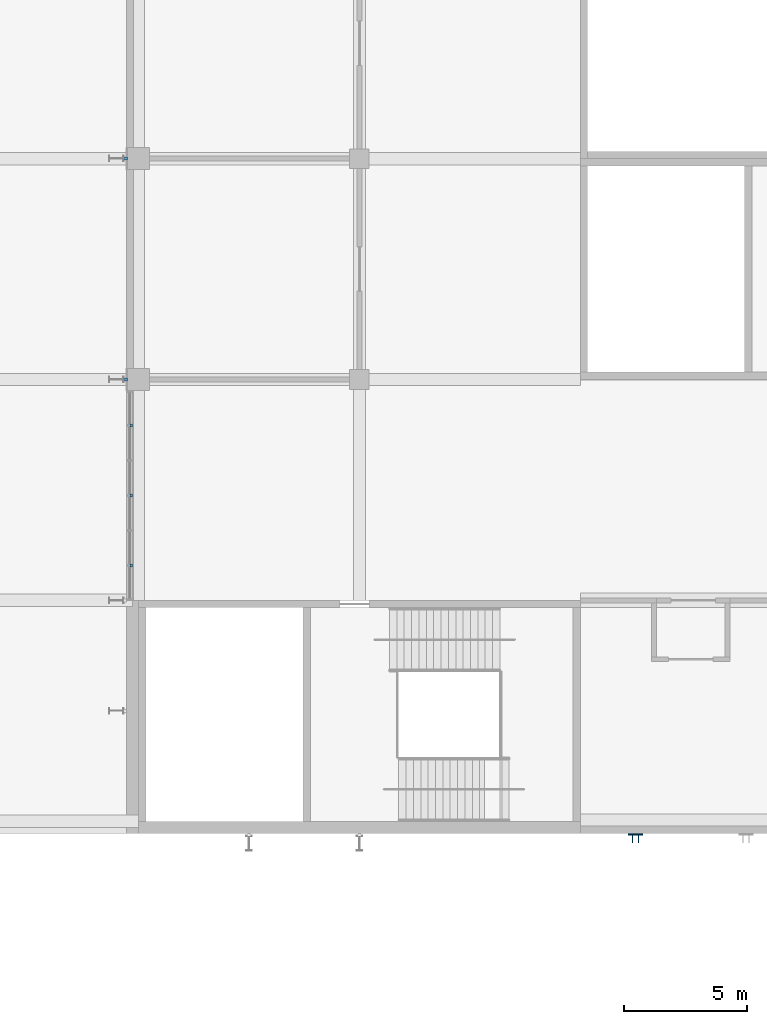
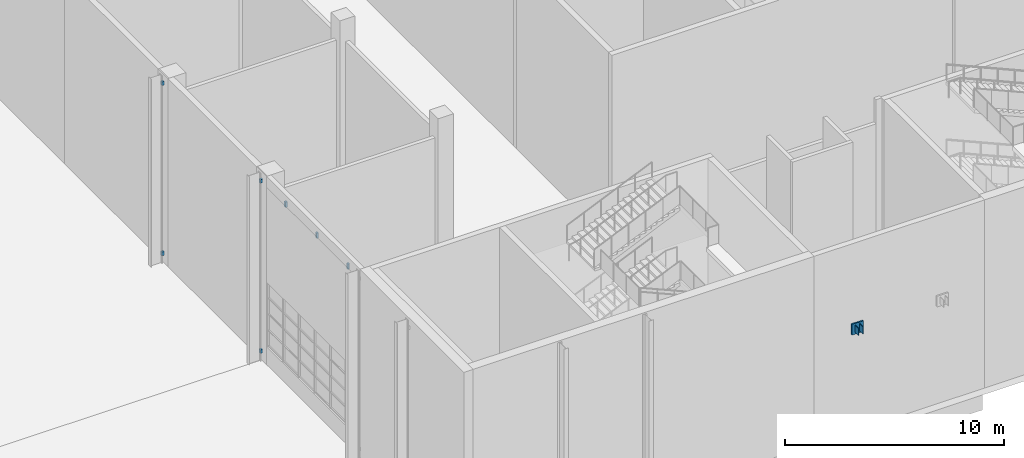
# One storey, part 108 of 182: 10 discrete accessories.
"""IFC4 building model written with IfcOpenShell, lengths in metres."""

from ifc_helpers import new_model, si_unit, direction, frame, origin, origin_2d, place, context, subcontext, project, spatial, rectangle, extrude, material, type_object, element, save


model = new_model("IFC4")

# Units and contexts
model_context = context("Model", 3, precision=1e-05, world=origin(), true_north=direction((0.0, 1.0)))
body_context = subcontext(model_context, "Body", "Model", "MODEL_VIEW")
ifc_project = project(units=[si_unit("LENGTHUNIT", "METRE"), si_unit("AREAUNIT", "SQUARE_METRE"), si_unit("VOLUMEUNIT", "CUBIC_METRE"), si_unit("PLANEANGLEUNIT", "RADIAN"), si_unit("MASSUNIT", "GRAM", prefix="KILO")], contexts=[model_context])

# Site, building, storey
site_placement = place(None, origin())
site = spatial("IfcSite", under=ifc_project, at=site_placement, CompositionType="ELEMENT")
building_placement = place(site_placement, origin())
building = spatial("IfcBuilding", under=site, at=building_placement, Name="Silverbay Arena", CompositionType="ELEMENT")
storey_placement = place(building_placement, frame((0.0, 0.0, 11.5)))
storey = spatial("IfcBuildingStorey", under=building, at=storey_placement, Name="L02", CompositionType="ELEMENT", Elevation=11.5)

# Discrete accessories
ifc_material = material(Name="Steel S355", Category="steel")
discrete_accessory_type = type_object("IfcDiscreteAccessoryType", Name="Steel bracket plate", PredefinedType="BRACKET", material=ifc_material)
for number, where, z_axis, x_axis, name in (
    (1, (53.699951171875, 28.425048828125, 9.60009765625), (0.0, 0.0, 1.0), (1.0, 0.0, 0.0), "Cladding hanger bracket"),
    (2, (53.699951171875, 31.27490234375, 9.60009765625), (0.0, 0.0, 1.0), (1.0, 0.0, 0.0), "Cladding hanger bracket"),
    (3, (53.699951171875, 34.125, 9.60009765625), (0.0, 0.0, 1.0), (1.0, 0.0, 0.0), "Cladding hanger bracket"),
):
    element("IfcDiscreteAccessory", number, at=place(storey_placement, frame(where, z_axis=z_axis, x_axis=x_axis)), inside=storey, type_object=discrete_accessory_type, Name=name, PredefinedType="BRACKET", context=body_context, shape_type="SweptSolid", body=[
        extrude(rectangle(XDim=0.10009765625, YDim=0.1201171875, at=origin_2d()), origin(), (0.0, 0.0, 1.0), 0.300048828125),
    ])
discrete_accessory_placement = place(storey_placement, frame((74.25, 17.4599609375, 5.46337890625), z_axis=(0.0, 0.0, 1.0), x_axis=(1.0, 0.0, 0.0)))
element("IfcDiscreteAccessory", 4, at=discrete_accessory_placement, inside=storey, type_object=discrete_accessory_type, Name="Marquee tie anchor plate", PredefinedType="BRACKET", context=body_context, shape_type="SweptSolid", body=[
    extrude(rectangle(XDim=0.60009765625, YDim=0.080078125, at=origin_2d()), origin(), (0.0, 0.0, 1.0), 0.60009765625),
])
for number, where, z_axis, x_axis, name in (
    (5, (74.1298828125, 17.27001953125, 5.5634765625), (0.0, 0.0, 1.0), (1.0, 0.0, 0.0), "Marquee tie gusset plate"),
    (6, (74.3701171875, 17.27001953125, 5.5634765625), (0.0, 0.0, 1.0), (1.0, 0.0, 0.0), "Marquee tie gusset plate"),
):
    element("IfcDiscreteAccessory", number, at=place(storey_placement, frame(where, z_axis=z_axis, x_axis=x_axis)), inside=storey, type_object=discrete_accessory_type, Name=name, PredefinedType="BRACKET", context=body_context, shape_type="SweptSolid", body=[
        extrude(rectangle(XDim=0.030029296875, YDim=0.300048828125, at=origin_2d()), origin(), (0.0, 0.0, 1.0), 0.39990234375),
    ])
for number, where, z_axis, x_axis, name in (
    (7, (53.47509765625, 36.0, 0.39990234375), (0.0, 0.0, 1.0), (1.0, 0.0, 0.0), "Fin bracket"),
    (8, (53.47509765625, 36.0, 9.89990234375), (0.0, 0.0, 1.0), (1.0, 0.0, 0.0), "Fin bracket"),
    (9, (53.47509765625, 45.0, 0.39990234375), (0.0, 0.0, 1.0), (1.0, 0.0, 0.0), "Fin bracket"),
    (10, (53.47509765625, 45.0, 9.89990234375), (0.0, 0.0, 1.0), (1.0, 0.0, 0.0), "Fin bracket"),
):
    element("IfcDiscreteAccessory", number, at=place(storey_placement, frame(where, z_axis=z_axis, x_axis=x_axis)), inside=storey, type_object=discrete_accessory_type, Name=name, PredefinedType="BRACKET", context=body_context, shape_type="SweptSolid", body=[
        extrude(rectangle(XDim=0.14990234375, YDim=0.1201171875, at=origin_2d()), origin(), (0.0, 0.0, 1.0), 0.199951171875),
    ])

save(model, "model.ifc")
